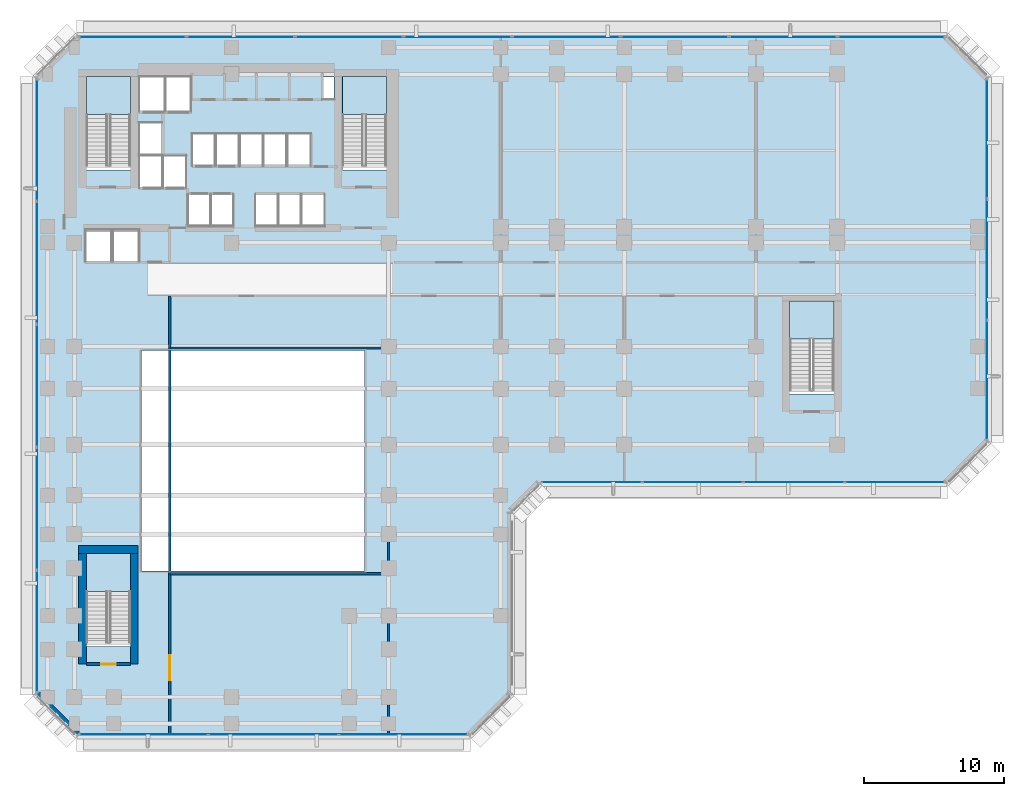
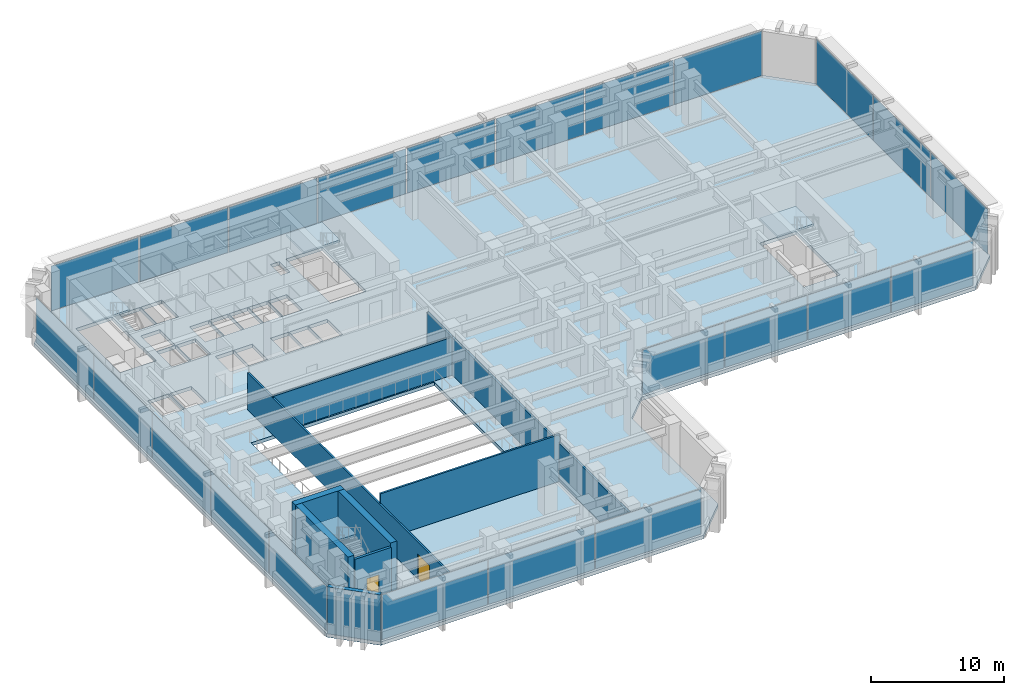
# One storey, part 6 of 16: 23 plates, 9 walls, 5 slabs, 2 doors, 2 openings, 9 elements without a shape of their own.
"""IFC4 building model written with IfcOpenShell, lengths in metres."""

import ifcopenshell
import ifcopenshell.guid

model = None  # the IFC model being written
_history = None  # IfcOwnerHistory: only IFC2X3 demands one
_inside = {}  # id of a spatial element -> (the spatial element, [elements in it])
_under = {}  # id of a project, library or spatial element -> (it, [spatial elements below it])
_declared = {}  # id of a project -> (the project, [libraries it declares])
_typed = {}  # id of a type object -> (the type object, [elements of that type])
_made_of = {}  # id of a material, layer set ... -> (it, [elements and type objects made of it])


def new_model(schema):
    """Start an empty IFC model of exactly this schema.

    Asked for "IFC4X3", IfcOpenShell would pick the latest addendum, in which some entities
    have other attributes; the version numbers below select the first issue.
    IFC2X3 requires an IfcOwnerHistory on every rooted entity: one is made here for all.
    """
    global model, _history
    if schema == "IFC4X3":
        model = ifcopenshell.file(schema_version=(4, 3, 0, 0))
    else:
        model = ifcopenshell.file(schema=schema)
    _inside.clear()
    _under.clear()
    _declared.clear()
    _typed.clear()
    _made_of.clear()
    _history = None
    if model.schema == "IFC2X3":
        org = make("IfcOrganization", Name="unknown")
        user = make(
            "IfcPersonAndOrganization",
            ThePerson=make("IfcPerson", FamilyName="unknown"),
            TheOrganization=org,
        )
        app = make(
            "IfcApplication",
            ApplicationDeveloper=org,
            Version="unknown",
            ApplicationFullName="unknown",
            ApplicationIdentifier="unknown",
        )
        _history = make(
            "IfcOwnerHistory",
            OwningUser=user,
            OwningApplication=app,
            ChangeAction="ADDED",
            CreationDate=0,
        )
    return model


def make(cls, **values):
    """One entity of the class cls with the attributes given. An attribute that is None is left unset."""
    return model.create_entity(
        cls, **{name: value for name, value in values.items() if value is not None}
    )


def rooted(cls, **values):
    """An entity with a GlobalId (a new one), such as an element, a storey or a relation."""
    return make(cls, GlobalId=ifcopenshell.guid.new(), OwnerHistory=_history, **values)


def si_unit(unit_type, name, prefix=None):
    """IfcSIUnit, for example si_unit("LENGTHUNIT", "METRE", prefix="MILLI")."""
    return make("IfcSIUnit", UnitType=unit_type, Prefix=prefix, Name=name)


def assignment(units):
    """IfcUnitAssignment: the units of a project."""
    return None if units is None else make("IfcUnitAssignment", Units=units)


def point(xyz):
    """IfcCartesianPoint."""
    return None if xyz is None else make("IfcCartesianPoint", Coordinates=xyz)


def direction(xyz):
    """IfcDirection."""
    return None if xyz is None else make("IfcDirection", DirectionRatios=xyz)


def frame(location, z_axis=None, x_axis=None):
    """IfcAxis2Placement3D, a coordinate frame: its origin and axes. An axis left out is left unset."""
    return make(
        "IfcAxis2Placement3D",
        Location=point(location),
        Axis=direction(z_axis),
        RefDirection=direction(x_axis),
    )


def frame_2d(location, x_axis=None):
    """IfcAxis2Placement2D, a coordinate frame in the plane: its origin and x axis."""
    return make(
        "IfcAxis2Placement2D", Location=point(location), RefDirection=direction(x_axis)
    )


def origin():
    """The frame at (0, 0, 0) with its axes left unset."""
    return frame((0.0, 0.0, 0.0))


def origin_2d():
    """The frame at (0, 0) in the plane with its x axis left unset."""
    return frame_2d((0.0, 0.0))


def place(relative_to, where):
    """IfcLocalPlacement: puts the frame where relative to a parent placement (None: the world)."""
    return make(
        "IfcLocalPlacement", PlacementRelTo=relative_to, RelativePlacement=where
    )


def context(
    kind, dimensions, precision=None, world=None, true_north=None, identifier=None
):
    """IfcGeometricRepresentationContext, for example the 3D "Model" context."""
    return make(
        "IfcGeometricRepresentationContext",
        ContextIdentifier=identifier,
        ContextType=kind,
        CoordinateSpaceDimension=dimensions,
        Precision=precision,
        WorldCoordinateSystem=world,
        TrueNorth=true_north,
    )


def subcontext(parent, identifier, kind, view, scale=None):
    """IfcGeometricRepresentationSubContext, for example "Body" below "Model"."""
    return make(
        "IfcGeometricRepresentationSubContext",
        ContextIdentifier=identifier,
        ContextType=kind,
        ParentContext=parent,
        TargetScale=scale,
        TargetView=view,
    )


def project(units=None, contexts=None):
    """IfcProject with its units and contexts."""
    return rooted(
        "IfcProject",
        Name="project",
        RepresentationContexts=contexts,
        UnitsInContext=assignment(units),
    )


def spatial(cls, under=None, at=None, **own):
    """A site, building, storey or space (cls), placed at a placement, below another one or the project."""
    s = rooted(cls, ObjectPlacement=at, **own)
    if under is not None:
        _under.setdefault(under.id(), (under, []))[1].append(s)
    return s


def polyline(points):
    """IfcPolyline through the points."""
    return make("IfcPolyline", Points=[point(p) for p in points])


def profile(cls, at=None, kind="AREA", **sizes):
    """A parametric profile (cls). Its sizes go by their IFC names, for example OverallWidth=200.0."""
    return make(cls, ProfileType=kind, Position=at, **sizes)


def rectangle(**sizes):
    """IfcRectangleProfileDef."""
    return profile("IfcRectangleProfileDef", **sizes)


def outline(outer, holes=None, kind="AREA"):
    """IfcArbitraryClosedProfileDef: a profile drawn as a closed curve; with holes, ...WithVoids."""
    if holes is None:
        return make("IfcArbitraryClosedProfileDef", ProfileType=kind, OuterCurve=outer)
    return make(
        "IfcArbitraryProfileDefWithVoids",
        ProfileType=kind,
        OuterCurve=outer,
        InnerCurves=holes,
    )


def extrude(swept, where, along, depth):
    """IfcExtrudedAreaSolid: the profile swept, set in the frame where, extruded along a direction by depth."""
    return make(
        "IfcExtrudedAreaSolid",
        SweptArea=swept,
        Position=where,
        ExtrudedDirection=direction(along),
        Depth=depth,
    )


def shape(context_of_items, identifier, shape_type, items):
    """IfcShapeRepresentation: the items that make up one representation, for example the "Body"."""
    return make(
        "IfcShapeRepresentation",
        ContextOfItems=context_of_items,
        RepresentationIdentifier=identifier,
        RepresentationType=shape_type,
        Items=items,
    )


def material(Name=None, Category=None):
    """IfcMaterial."""
    return make("IfcMaterial", Name=Name, Category=Category)


def layer(
    of_material, thickness, ventilated=None, Name=None, Category=None, Priority=None
):
    """IfcMaterialLayer: one layer of a wall or slab, of a material (None: an air gap)."""
    return make(
        "IfcMaterialLayer",
        Material=of_material,
        LayerThickness=thickness,
        IsVentilated=ventilated,
        Name=Name,
        Category=Category,
        Priority=Priority,
    )


def layer_set(layers, Name=None):
    """IfcMaterialLayerSet."""
    return make("IfcMaterialLayerSet", MaterialLayers=layers, LayerSetName=Name)


def made_of(thing, what):
    """Note that an element or type object is made of a material, layer set ...; save() writes the relation."""
    if what is not None:
        _made_of.setdefault(what.id(), (what, []))[1].append(thing)
    return thing


def type_object(cls, material=None, **own):
    """A type object (cls), such as IfcWallType, which elements share."""
    return made_of(rooted(cls, **own), material)


def element(
    cls,
    number,
    at=None,
    inside=None,
    cuts=None,
    type_object=None,
    material=None,
    context=None,
    identifier="Body",
    shape_type=None,
    held_by="IfcProductDefinitionShape",
    body=None,
    shapes=None,
    **own,
):
    """One element of the class cls, such as IfcWall. Its Tag is "e" and its number.

    at: its placement. inside: the storey or other place that contains it. cuts: it is an
    opening in that element (IfcRelVoidsElement). A single representation is given by context,
    identifier, shape_type and body (its items); several are given by shapes. held_by: the class
    of the entity that holds the representations. save() writes the other relations.
    """
    e = rooted(cls, Tag="e%d" % number, ObjectPlacement=at, **own)
    if body is not None:
        shapes = [shape(context, identifier, shape_type, body)]
    if shapes is not None:
        e.Representation = make(held_by, Representations=shapes)
    if inside is not None:
        _inside.setdefault(inside.id(), (inside, []))[1].append(e)
    if cuts is not None:
        rooted(
            "IfcRelVoidsElement", RelatingBuildingElement=cuts, RelatedOpeningElement=e
        )
    if type_object is not None:
        _typed.setdefault(type_object.id(), (type_object, []))[1].append(e)
    return made_of(e, material)


def fill(opening, filler):
    """IfcRelFillsElement: the door or window that sits in an opening."""
    return rooted(
        "IfcRelFillsElement",
        RelatingOpeningElement=opening,
        RelatedBuildingElement=filler,
    )


def aggregate(whole, parts):
    """IfcRelAggregates: a whole, such as a stair, and the parts it consists of."""
    return rooted("IfcRelAggregates", RelatingObject=whole, RelatedObjects=parts)


def save(model, path):
    """Write the relations noted so far, then the file.

    IfcRelAggregates (storeys below a building ...), IfcRelContainedInSpatialStructure (elements
    in a storey), IfcRelDefinesByType, IfcRelAssociatesMaterial and IfcRelDeclares: one each for
    every whole, place, type object, material and project.
    """
    for whole, parts in _under.values():
        aggregate(whole, parts)
    for where, things in _inside.values():
        rooted(
            "IfcRelContainedInSpatialStructure",
            RelatedElements=things,
            RelatingStructure=where,
        )
    for kind, things in _typed.values():
        rooted("IfcRelDefinesByType", RelatedObjects=things, RelatingType=kind)
    for what, things in _made_of.values():
        rooted("IfcRelAssociatesMaterial", RelatedObjects=things, RelatingMaterial=what)
    for by, libraries in _declared.values():
        rooted("IfcRelDeclares", RelatingContext=by, RelatedDefinitions=libraries)
    model.write(path)


model = new_model("IFC4")

# Units and contexts
model_context = context("Model", 3, precision=1e-05, world=origin(), true_north=direction((0.0, 1.0)))
body_context = subcontext(model_context, "Body", "Model", "MODEL_VIEW")
ifc_project = project(units=[si_unit("LENGTHUNIT", "METRE"), si_unit("AREAUNIT", "SQUARE_METRE"), si_unit("VOLUMEUNIT", "CUBIC_METRE"), si_unit("PLANEANGLEUNIT", "RADIAN"), si_unit("MASSUNIT", "GRAM", prefix="KILO")], contexts=[model_context])

# Site, building, storey
site_placement = place(None, origin())
site = spatial("IfcSite", under=ifc_project, at=site_placement, CompositionType="ELEMENT")
building_placement = place(site_placement, origin())
building = spatial("IfcBuilding", under=site, at=building_placement, Name="Kefirva Bronze Tower", CompositionType="ELEMENT")
storey_placement = place(building_placement, frame((0.0, 0.0, 16.5)))
storey = spatial("IfcBuildingStorey", under=building, at=storey_placement, Name="L03", CompositionType="ELEMENT", Elevation=16.5)

# Slab
ifc_material_1 = material(Name="Concrete C40/50", Category="concrete")
ifc_layer_1 = layer(ifc_material_1, 0.320068359375, Name="Concrete C40/50")
ifc_layer_set_1 = layer_set([ifc_layer_1], Name="Concrete C40/50")
slab_type_1 = type_object("IfcSlabType", Name="RC Podium Floor Slab 320mm", PredefinedType="FLOOR", material=ifc_layer_set_1)
slab_1_placement = place(storey_placement, frame((0.0, 0.0, -0.320068359375)))
element("IfcSlab", 1, at=slab_1_placement, inside=storey, type_object=slab_type_1, Name="L03 Structural Floor Slab", PredefinedType="FLOOR", context=body_context, shape_type="SweptSolid", body=[
    extrude(outline(polyline([(-2.0, 1.0), (-2.0, 45.0), (1.0, 48.0), (63.0, 48.0), (66.0, 45.0), (66.0, 19.0), (63.0, 16.0), (34.0, 16.0), (32.0, 14.0), (32.0, 1.0), (29.0, -2.0), (1.0, -2.0), (-2.0, 1.0)]), holes=[polyline([(51.800048828125, 22.39990234375), (54.949951171875, 22.39990234375), (54.949951171875, 29.050048828125), (51.800048828125, 29.050048828125), (51.800048828125, 22.39990234375)]), polyline([(19.89990234375, 38.39990234375), (23.050048828125, 38.39990234375), (23.050048828125, 45.050048828125), (19.89990234375, 45.050048828125), (19.89990234375, 38.39990234375)]), polyline([(5.60009765625, 9.800048828125), (21.5, 9.800048828125), (21.5, 25.5), (5.60009765625, 25.5), (5.60009765625, 9.800048828125)]), polyline([(18.52001953125, 43.419921875), (19.320068359375, 43.419921875), (19.320068359375, 45.0), (18.52001953125, 45.0), (18.52001953125, 43.419921875)]), polyline([(17.0, 34.35009765625), (18.64990234375, 34.35009765625), (18.64990234375, 36.64990234375), (17.0, 36.64990234375), (17.0, 34.35009765625)]), polyline([(17.64990234375, 38.679931640625), (17.64990234375, 40.97998046875), (16.0, 40.97998046875), (16.0, 38.679931640625), (17.64990234375, 38.679931640625)]), polyline([(15.35009765625, 34.35009765625), (16.949951171875, 34.35009765625), (16.949951171875, 36.64990234375), (15.35009765625, 36.64990234375), (15.35009765625, 34.35009765625)]), polyline([(14.300048828125, 38.679931640625), (15.929931640625, 38.679931640625), (15.929931640625, 40.97998046875), (14.300048828125, 40.97998046875), (14.300048828125, 38.679931640625)]), polyline([(15.300048828125, 34.35009765625), (15.300048828125, 36.64990234375), (13.699951171875, 36.64990234375), (13.699951171875, 34.35009765625), (15.300048828125, 34.35009765625)]), polyline([(12.60009765625, 38.679931640625), (14.22998046875, 38.679931640625), (14.22998046875, 40.97998046875), (12.60009765625, 40.97998046875), (12.60009765625, 38.679931640625)]), polyline([(12.530029296875, 38.679931640625), (12.530029296875, 40.97998046875), (10.89990234375, 40.97998046875), (10.89990234375, 38.679931640625), (12.530029296875, 38.679931640625)]), polyline([(10.5400390625, 34.35009765625), (12.139892578125, 34.35009765625), (12.139892578125, 36.64990234375), (10.5400390625, 36.64990234375), (10.5400390625, 34.35009765625)]), polyline([(9.199951171875, 38.679931640625), (10.830078125, 38.679931640625), (10.830078125, 40.97998046875), (9.199951171875, 40.97998046875), (9.199951171875, 38.679931640625)]), polyline([(8.89990234375, 34.35009765625), (10.5, 34.35009765625), (10.5, 36.64990234375), (8.89990234375, 36.64990234375), (8.89990234375, 34.35009765625)]), polyline([(9.1201171875, 42.550048828125), (9.1201171875, 45.050048828125), (7.300048828125, 45.050048828125), (7.300048828125, 42.550048828125), (9.1201171875, 42.550048828125)]), polyline([(7.139892578125, 37.10009765625), (8.780029296875, 37.10009765625), (8.780029296875, 39.39990234375), (7.139892578125, 39.39990234375), (7.139892578125, 37.10009765625)]), polyline([(5.419921875, 42.550048828125), (7.239990234375, 42.550048828125), (7.239990234375, 45.050048828125), (5.419921875, 45.050048828125), (5.419921875, 42.550048828125)]), polyline([(7.06005859375, 39.47998046875), (7.06005859375, 41.780029296875), (5.419921875, 41.780029296875), (5.419921875, 39.47998046875), (7.06005859375, 39.47998046875)]), polyline([(7.06005859375, 37.10009765625), (7.06005859375, 39.39990234375), (5.419921875, 39.39990234375), (5.419921875, 37.10009765625), (7.06005859375, 37.10009765625)]), polyline([(5.39990234375, 31.85009765625), (5.39990234375, 34.14990234375), (3.550048828125, 34.14990234375), (3.550048828125, 31.85009765625), (5.39990234375, 31.85009765625)]), polyline([(1.64990234375, 38.39990234375), (4.800048828125, 38.39990234375), (4.800048828125, 45.050048828125), (1.64990234375, 45.050048828125), (1.64990234375, 38.39990234375)]), polyline([(4.800048828125, 4.39990234375), (4.800048828125, 11.050048828125), (1.64990234375, 11.050048828125), (1.64990234375, 4.39990234375), (4.800048828125, 4.39990234375)]), polyline([(3.449951171875, 31.85009765625), (3.449951171875, 34.14990234375), (1.60009765625, 34.14990234375), (1.60009765625, 31.85009765625), (3.449951171875, 31.85009765625)])]), origin(), (0.0, 0.0, 1.0), 0.320068359375),
])

# Stair, slab
stair_type = type_object("IfcStairType", Name="RC Dogleg Protected Stair 28R", PredefinedType="HALF_TURN_STAIR", material=ifc_material_1)
stair_1_placement = place(storey_placement, origin())
stair_1 = element("IfcStair", 2, at=stair_1_placement, inside=storey, type_object=stair_type, Name="L03 Protected Exit Stair 1", PredefinedType="HALF_TURN_STAIR")
ifc_layer_2 = layer(ifc_material_1, 0.199951171875, Name="Concrete C40/50")
ifc_layer_set_2 = layer_set([ifc_layer_2], Name="Concrete C40/50")
slab_type_2 = type_object("IfcSlabType", Name="RC Stair Landing Slab 200mm", PredefinedType="LANDING", material=ifc_layer_set_2)
slab_2_placement = place(storey_placement, frame((0.0, 0.0, 2.110107421875)))
slab_2 = element("IfcSlab", 3, at=slab_2_placement, type_object=slab_type_2, Name="ST-1 landing 1", PredefinedType="LANDING", context=body_context, shape_type="SweptSolid", body=[
    extrude(outline(polyline([(4.800048828125, 42.340087890625), (4.800048828125, 45.050048828125), (1.64990234375, 45.050048828125), (1.64990234375, 42.340087890625), (4.800048828125, 42.340087890625)])), origin(), (0.0, 0.0, 1.0), 0.199951171875),
])
aggregate(stair_1, [slab_2])

stair_2_placement = place(storey_placement, origin())
stair_2 = element("IfcStair", 4, at=stair_2_placement, inside=storey, type_object=stair_type, Name="L03 Protected Exit Stair 2", PredefinedType="HALF_TURN_STAIR")
slab_3_placement = place(storey_placement, frame((0.0, 0.0, 2.110107421875)))
slab_3 = element("IfcSlab", 5, at=slab_3_placement, type_object=slab_type_2, Name="ST-2 landing 1", PredefinedType="LANDING", context=body_context, shape_type="SweptSolid", body=[
    extrude(outline(polyline([(23.050048828125, 42.340087890625), (23.050048828125, 45.050048828125), (19.89990234375, 45.050048828125), (19.89990234375, 42.340087890625), (23.050048828125, 42.340087890625)])), origin(), (0.0, 0.0, 1.0), 0.199951171875),
])
aggregate(stair_2, [slab_3])

stair_3_placement = place(storey_placement, origin())
stair_3 = element("IfcStair", 6, at=stair_3_placement, inside=storey, type_object=stair_type, Name="L03 Podium Exit Stair 3", PredefinedType="HALF_TURN_STAIR")
slab_4_placement = place(storey_placement, frame((0.0, 0.0, 2.110107421875)))
slab_4 = element("IfcSlab", 7, at=slab_4_placement, type_object=slab_type_2, Name="ST-3 landing 1", PredefinedType="LANDING", context=body_context, shape_type="SweptSolid", body=[
    extrude(outline(polyline([(4.800048828125, 8.340087890625), (4.800048828125, 11.050048828125), (1.64990234375, 11.050048828125), (1.64990234375, 8.340087890625), (4.800048828125, 8.340087890625)])), origin(), (0.0, 0.0, 1.0), 0.199951171875),
])
aggregate(stair_3, [slab_4])

stair_4_placement = place(storey_placement, origin())
stair_4 = element("IfcStair", 8, at=stair_4_placement, inside=storey, type_object=stair_type, Name="L03 Podium Exit Stair 4", PredefinedType="HALF_TURN_STAIR")
slab_5_placement = place(storey_placement, frame((0.0, 0.0, 2.110107421875)))
slab_5 = element("IfcSlab", 9, at=slab_5_placement, type_object=slab_type_2, Name="ST-4 landing 1", PredefinedType="LANDING", context=body_context, shape_type="SweptSolid", body=[
    extrude(outline(polyline([(54.949951171875, 26.340087890625), (54.949951171875, 29.050048828125), (51.800048828125, 29.050048828125), (51.800048828125, 26.340087890625), (54.949951171875, 26.340087890625)])), origin(), (0.0, 0.0, 1.0), 0.199951171875),
])
aggregate(stair_4, [slab_5])

# Curtain wall, plates
ifc_material_2 = material(Name="Bronze anodised aluminium", Category="aluminium")
ifc_layer_3 = layer(ifc_material_2, 0.239990234375, Name="Bronze anodised aluminium")
ifc_layer_set_3 = layer_set([ifc_layer_3], Name="Bronze anodised aluminium")
curtain_wall_type = type_object("IfcCurtainWallType", Name="Podium Double-Height Glazed Curtain Wall", PredefinedType="USERDEFINED", material=ifc_layer_set_3)
curtain_wall_1_placement = place(storey_placement, origin())
curtain_wall_1 = element("IfcCurtainWall", 10, at=curtain_wall_1_placement, inside=storey, type_object=curtain_wall_type, Name="L03 Curtain Wall 1", ObjectType="UNITISED CURTAIN WALL", PredefinedType="USERDEFINED")
ifc_material_3 = material(Name="Laminated low-E double glazing", Category="glass")
ifc_layer_4 = layer(ifc_material_3, 0.031982421875, Name="Laminated low-E double glazing")
ifc_layer_set_4 = layer_set([ifc_layer_4], Name="Laminated low-E double glazing")
plate_type = type_object("IfcPlateType", Name="Solar-Control Low-E Vision Panel 32mm", PredefinedType="CURTAIN_PANEL", material=ifc_layer_set_4)
plate_1_placement = place(storey_placement, frame((5.725830078125, -1.8798828125, 0.08984375), z_axis=(0.0, 0.0, 1.0), x_axis=(1.0, 0.0, 0.0)))
plate_1 = element("IfcPlate", 11, at=plate_1_placement, type_object=plate_type, Name="CW-05 panel 1.1", PredefinedType="CURTAIN_PANEL", context=body_context, shape_type="SweptSolid", body=[
    extrude(rectangle(XDim=9.16162109375, YDim=0.031982421875, at=origin_2d()), origin(), (0.0, 0.0, 1.0), 4.1201171875),
])
plate_2_placement = place(storey_placement, frame((15.0, -1.8798828125, 0.08984375), z_axis=(0.0, 0.0, 1.0), x_axis=(1.0, 0.0, 0.0)))
plate_2 = element("IfcPlate", 12, at=plate_2_placement, type_object=plate_type, Name="CW-05 panel 2.1", PredefinedType="CURTAIN_PANEL", context=body_context, shape_type="SweptSolid", body=[
    extrude(rectangle(XDim=9.206787109375, YDim=0.031982421875, at=origin_2d()), origin(), (0.0, 0.0, 1.0), 4.1201171875),
])
plate_3_placement = place(storey_placement, frame((24.274169921875, -1.8798828125, 0.08984375), z_axis=(0.0, 0.0, 1.0), x_axis=(1.0, 0.0, 0.0)))
plate_3 = element("IfcPlate", 13, at=plate_3_placement, type_object=plate_type, Name="CW-05 panel 3.1", PredefinedType="CURTAIN_PANEL", context=body_context, shape_type="SweptSolid", body=[
    extrude(rectangle(XDim=9.16162109375, YDim=0.031982421875, at=origin_2d()), origin(), (0.0, 0.0, 1.0), 4.1201171875),
])
aggregate(curtain_wall_1, [plate_1, plate_2, plate_3])

curtain_wall_2_placement = place(storey_placement, origin())
curtain_wall_2 = element("IfcCurtainWall", 14, at=curtain_wall_2_placement, inside=storey, type_object=curtain_wall_type, Name="L03 Curtain Wall 2", ObjectType="UNITISED CURTAIN WALL", PredefinedType="USERDEFINED")
plate_4_placement = place(storey_placement, frame((37.688720703125, 16.1201171875, 0.08984375), z_axis=(0.0, 0.0, 1.0), x_axis=(1.0, 0.0, 0.0)))
plate_4 = element("IfcPlate", 15, at=plate_4_placement, type_object=plate_type, Name="CW-05 panel 1.1", PredefinedType="CURTAIN_PANEL", context=body_context, shape_type="SweptSolid", body=[
    extrude(rectangle(XDim=7.08740234375, YDim=0.031982421875, at=origin_2d()), origin(), (0.0, 0.0, 1.0), 4.1201171875),
])
plate_5_placement = place(storey_placement, frame((44.888671875, 16.1201171875, 0.08984375), z_axis=(0.0, 0.0, 1.0), x_axis=(1.0, 0.0, 0.0)))
plate_5 = element("IfcPlate", 16, at=plate_5_placement, type_object=plate_type, Name="CW-05 panel 2.1", PredefinedType="CURTAIN_PANEL", context=body_context, shape_type="SweptSolid", body=[
    extrude(rectangle(XDim=7.132568359375, YDim=0.031982421875, at=origin_2d()), origin(), (0.0, 0.0, 1.0), 4.1201171875),
])
plate_6_placement = place(storey_placement, frame((52.111328125, 16.1201171875, 0.08984375), z_axis=(0.0, 0.0, 1.0), x_axis=(1.0, 0.0, 0.0)))
plate_6 = element("IfcPlate", 17, at=plate_6_placement, type_object=plate_type, Name="CW-05 panel 3.1", PredefinedType="CURTAIN_PANEL", context=body_context, shape_type="SweptSolid", body=[
    extrude(rectangle(XDim=7.132568359375, YDim=0.031982421875, at=origin_2d()), origin(), (0.0, 0.0, 1.0), 4.1201171875),
])
plate_7_placement = place(storey_placement, frame((59.311279296875, 16.1201171875, 0.08984375), z_axis=(0.0, 0.0, 1.0), x_axis=(1.0, 0.0, 0.0)))
plate_7 = element("IfcPlate", 18, at=plate_7_placement, type_object=plate_type, Name="CW-05 panel 4.1", PredefinedType="CURTAIN_PANEL", context=body_context, shape_type="SweptSolid", body=[
    extrude(rectangle(XDim=7.08740234375, YDim=0.031982421875, at=origin_2d()), origin(), (0.0, 0.0, 1.0), 4.1201171875),
])
aggregate(curtain_wall_2, [plate_4, plate_5, plate_6, plate_7])

curtain_wall_3_placement = place(storey_placement, origin())
curtain_wall_3 = element("IfcCurtainWall", 19, at=curtain_wall_3_placement, inside=storey, type_object=curtain_wall_type, Name="L03 Curtain Wall 3", ObjectType="UNITISED CURTAIN WALL", PredefinedType="USERDEFINED")
plate_8_placement = place(storey_placement, frame((65.8798828125, 23.392578125, 0.08984375), z_axis=(0.0, 0.0, 1.0), x_axis=(0.0, 1.0, 0.0)))
plate_8 = element("IfcPlate", 20, at=plate_8_placement, type_object=plate_type, Name="CW-05 panel 1.1", PredefinedType="CURTAIN_PANEL", context=body_context, shape_type="SweptSolid", body=[
    extrude(rectangle(XDim=8.4951171875, YDim=0.031982421875, at=origin_2d()), origin(), (0.0, 0.0, 1.0), 4.1201171875),
])
plate_9_placement = place(storey_placement, frame((65.8798828125, 32.0, 0.08984375), z_axis=(0.0, 0.0, 1.0), x_axis=(0.0, 1.0, 0.0)))
plate_9 = element("IfcPlate", 21, at=plate_9_placement, type_object=plate_type, Name="CW-05 panel 2.1", PredefinedType="CURTAIN_PANEL", context=body_context, shape_type="SweptSolid", body=[
    extrude(rectangle(XDim=8.5400390625, YDim=0.031982421875, at=origin_2d()), origin(), (0.0, 0.0, 1.0), 4.1201171875),
])
plate_10_placement = place(storey_placement, frame((65.8798828125, 40.607421875, 0.08984375), z_axis=(0.0, 0.0, 1.0), x_axis=(0.0, 1.0, 0.0)))
plate_10 = element("IfcPlate", 22, at=plate_10_placement, type_object=plate_type, Name="CW-05 panel 3.1", PredefinedType="CURTAIN_PANEL", context=body_context, shape_type="SweptSolid", body=[
    extrude(rectangle(XDim=8.4951171875, YDim=0.031982421875, at=origin_2d()), origin(), (0.0, 0.0, 1.0), 4.1201171875),
])
aggregate(curtain_wall_3, [plate_8, plate_9, plate_10])

curtain_wall_4_placement = place(storey_placement, origin())
curtain_wall_4 = element("IfcCurtainWall", 23, at=curtain_wall_4_placement, inside=storey, type_object=curtain_wall_type, Name="L03 Curtain Wall 4", ObjectType="UNITISED CURTAIN WALL", PredefinedType="USERDEFINED")
plate_11_placement = place(storey_placement, frame((59.054443359375, 47.8798828125, 0.08984375), z_axis=(0.0, 0.0, 1.0), x_axis=(-1.0, 0.0, 0.0)))
plate_11 = element("IfcPlate", 24, at=plate_11_placement, type_object=plate_type, Name="CW-05 panel 1.1", PredefinedType="CURTAIN_PANEL", context=body_context, shape_type="SweptSolid", body=[
    extrude(rectangle(XDim=7.601318359375, YDim=0.031982421875, at=origin_2d()), origin(), (0.0, 0.0, 1.0), 4.1201171875),
])
plate_12_placement = place(storey_placement, frame((51.340576171875, 47.8798828125, 0.08984375), z_axis=(0.0, 0.0, 1.0), x_axis=(-1.0, 0.0, 0.0)))
plate_12 = element("IfcPlate", 25, at=plate_12_placement, type_object=plate_type, Name="CW-05 panel 2.1", PredefinedType="CURTAIN_PANEL", context=body_context, shape_type="SweptSolid", body=[
    extrude(rectangle(XDim=7.646240234375, YDim=0.031982421875, at=origin_2d()), origin(), (0.0, 0.0, 1.0), 4.1201171875),
])
plate_13_placement = place(storey_placement, frame((43.6044921875, 47.8798828125, 0.08984375), z_axis=(0.0, 0.0, 1.0), x_axis=(-1.0, 0.0, 0.0)))
plate_13 = element("IfcPlate", 26, at=plate_13_placement, type_object=plate_type, Name="CW-05 panel 3.1", PredefinedType="CURTAIN_PANEL", context=body_context, shape_type="SweptSolid", body=[
    extrude(rectangle(XDim=7.646240234375, YDim=0.031982421875, at=origin_2d()), origin(), (0.0, 0.0, 1.0), 4.1201171875),
])
plate_14_placement = place(storey_placement, frame((35.8681640625, 47.8798828125, 0.08984375), z_axis=(0.0, 0.0, 1.0), x_axis=(-1.0, 0.0, 0.0)))
plate_14 = element("IfcPlate", 27, at=plate_14_placement, type_object=plate_type, Name="CW-05 panel 4.1", PredefinedType="CURTAIN_PANEL", context=body_context, shape_type="SweptSolid", body=[
    extrude(rectangle(XDim=7.646240234375, YDim=0.031982421875, at=origin_2d()), origin(), (0.0, 0.0, 1.0), 4.1201171875),
])
plate_15_placement = place(storey_placement, frame((28.1318359375, 47.8798828125, 0.08984375), z_axis=(0.0, 0.0, 1.0), x_axis=(-1.0, 0.0, 0.0)))
plate_15 = element("IfcPlate", 28, at=plate_15_placement, type_object=plate_type, Name="CW-05 panel 5.1", PredefinedType="CURTAIN_PANEL", context=body_context, shape_type="SweptSolid", body=[
    extrude(rectangle(XDim=7.646240234375, YDim=0.031982421875, at=origin_2d()), origin(), (0.0, 0.0, 1.0), 4.1201171875),
])
plate_16_placement = place(storey_placement, frame((20.3955078125, 47.8798828125, 0.08984375), z_axis=(0.0, 0.0, 1.0), x_axis=(-1.0, 0.0, 0.0)))
plate_16 = element("IfcPlate", 29, at=plate_16_placement, type_object=plate_type, Name="CW-05 panel 6.1", PredefinedType="CURTAIN_PANEL", context=body_context, shape_type="SweptSolid", body=[
    extrude(rectangle(XDim=7.646240234375, YDim=0.031982421875, at=origin_2d()), origin(), (0.0, 0.0, 1.0), 4.1201171875),
])
plate_17_placement = place(storey_placement, frame((12.659423828125, 47.8798828125, 0.08984375), z_axis=(0.0, 0.0, 1.0), x_axis=(-1.0, 0.0, 0.0)))
plate_17 = element("IfcPlate", 30, at=plate_17_placement, type_object=plate_type, Name="CW-05 panel 7.1", PredefinedType="CURTAIN_PANEL", context=body_context, shape_type="SweptSolid", body=[
    extrude(rectangle(XDim=7.646240234375, YDim=0.031982421875, at=origin_2d()), origin(), (0.0, 0.0, 1.0), 4.1201171875),
])
plate_18_placement = place(storey_placement, frame((4.945556640625, 47.8798828125, 0.08984375), z_axis=(0.0, 0.0, 1.0), x_axis=(-1.0, 0.0, 0.0)))
plate_18 = element("IfcPlate", 31, at=plate_18_placement, type_object=plate_type, Name="CW-05 panel 8.1", PredefinedType="CURTAIN_PANEL", context=body_context, shape_type="SweptSolid", body=[
    extrude(rectangle(XDim=7.601318359375, YDim=0.031982421875, at=origin_2d()), origin(), (0.0, 0.0, 1.0), 4.1201171875),
])
aggregate(curtain_wall_4, [plate_11, plate_12, plate_13, plate_14, plate_15, plate_16, plate_17, plate_18])

curtain_wall_5_placement = place(storey_placement, origin())
curtain_wall_5 = element("IfcCurtainWall", 32, at=curtain_wall_5_placement, inside=storey, type_object=curtain_wall_type, Name="L03 Curtain Wall 5", ObjectType="UNITISED CURTAIN WALL", PredefinedType="USERDEFINED")
plate_19_placement = place(storey_placement, frame((-1.8798828125, 40.533447265625, 0.08984375), z_axis=(0.0, 0.0, 1.0), x_axis=(0.0, -1.0, 0.0)))
plate_19 = element("IfcPlate", 33, at=plate_19_placement, type_object=plate_type, Name="CW-05 panel 1.1", PredefinedType="CURTAIN_PANEL", context=body_context, shape_type="SweptSolid", body=[
    extrude(rectangle(XDim=8.64306640625, YDim=0.031982421875, at=origin_2d()), origin(), (0.0, 0.0, 1.0), 4.1201171875),
])
plate_20_placement = place(storey_placement, frame((-1.8798828125, 31.778076171875, 0.08984375), z_axis=(0.0, 0.0, 1.0), x_axis=(0.0, -1.0, 0.0)))
plate_20 = element("IfcPlate", 34, at=plate_20_placement, type_object=plate_type, Name="CW-05 panel 2.1", PredefinedType="CURTAIN_PANEL", context=body_context, shape_type="SweptSolid", body=[
    extrude(rectangle(XDim=8.68798828125, YDim=0.031982421875, at=origin_2d()), origin(), (0.0, 0.0, 1.0), 4.1201171875),
])
plate_21_placement = place(storey_placement, frame((-1.8798828125, 23.0, 0.08984375), z_axis=(0.0, 0.0, 1.0), x_axis=(0.0, -1.0, 0.0)))
plate_21 = element("IfcPlate", 35, at=plate_21_placement, type_object=plate_type, Name="CW-05 panel 3.1", PredefinedType="CURTAIN_PANEL", context=body_context, shape_type="SweptSolid", body=[
    extrude(rectangle(XDim=8.68798828125, YDim=0.031982421875, at=origin_2d()), origin(), (0.0, 0.0, 1.0), 4.1201171875),
])
plate_22_placement = place(storey_placement, frame((-1.8798828125, 14.221923828125, 0.08984375), z_axis=(0.0, 0.0, 1.0), x_axis=(0.0, -1.0, 0.0)))
plate_22 = element("IfcPlate", 36, at=plate_22_placement, type_object=plate_type, Name="CW-05 panel 4.1", PredefinedType="CURTAIN_PANEL", context=body_context, shape_type="SweptSolid", body=[
    extrude(rectangle(XDim=8.68798828125, YDim=0.031982421875, at=origin_2d()), origin(), (0.0, 0.0, 1.0), 4.1201171875),
])
plate_23_placement = place(storey_placement, frame((-1.8798828125, 5.466552734375, 0.08984375), z_axis=(0.0, 0.0, 1.0), x_axis=(0.0, -1.0, 0.0)))
plate_23 = element("IfcPlate", 37, at=plate_23_placement, type_object=plate_type, Name="CW-05 panel 5.1", PredefinedType="CURTAIN_PANEL", context=body_context, shape_type="SweptSolid", body=[
    extrude(rectangle(XDim=8.64306640625, YDim=0.031982421875, at=origin_2d()), origin(), (0.0, 0.0, 1.0), 4.1201171875),
])
aggregate(curtain_wall_5, [plate_19, plate_20, plate_21, plate_22, plate_23])

# Wall, opening, door
ifc_material_4 = material(Name="Gypsum fireboard shaftwall")
ifc_layer_5 = layer(ifc_material_4, 0.219970703125, Name="Gypsum fireboard shaftwall")
ifc_layer_set_5 = layer_set([ifc_layer_5], Name="Gypsum fireboard shaftwall")
wall_type_1 = type_object("IfcWallType", Name="Fire-Rated Shaft Enclosure Wall 220mm", PredefinedType="PARTITIONING", material=ifc_layer_set_5)
wall_1_placement = place(storey_placement, frame((1.64990234375, 3.14990234375, 0.0), z_axis=(0.0, 0.0, 1.0), x_axis=(1.0, 0.0, 0.0)))
wall_1 = element("IfcWall", 38, at=wall_1_placement, inside=storey, type_object=wall_type_1, Name="L03 Partition W-L03-ST3S", PredefinedType="PARTITIONING", context=body_context, shape_type="SweptSolid", body=[
    extrude(rectangle(XDim=3.150146484375, YDim=0.219970703125, at=frame_2d((1.5751953125, 0.0))), origin(), (0.0, 0.0, 1.0), 4.300048828125),
])
opening_1_placement = place(wall_1_placement, frame((2.10009765625, 0.0, 0.0), z_axis=(0.0, 0.0, 1.0), x_axis=(-1.0, 0.0, 0.0)))
opening_1 = element("IfcOpeningElement", 39, at=opening_1_placement, cuts=wall_1, Name="Opening L03-D-ST3", PredefinedType="OPENING", context=body_context, shape_type="SweptSolid", body=[
    extrude(rectangle(XDim=1.050048828125, YDim=2.14990234375, at=frame_2d((0.52490234375, 1.074951171875))), frame((0.0, 0.1201171875, 0.0), z_axis=(0.0, -1.0, 0.0), x_axis=(1.0, 0.0, 0.0)), (0.0, 0.0, 1.0), 0.239990234375),
])
ifc_material_5 = material(Name="Painted galvanized steel", Category="steel")
door_type_1 = type_object("IfcDoorType", Name="Fire Stair Enclosure Door 1050x2150 FD90S", OperationType="NOTDEFINED", PredefinedType="DOOR", material=ifc_material_5)
door_1_placement = place(opening_1_placement, origin())
door_1 = element("IfcDoor", 40, at=door_1_placement, inside=storey, type_object=door_type_1, Name="Door L03-D-ST3", OperationType="SINGLE_SWING_LEFT", OverallHeight=2.14990234375, OverallWidth=1.050048828125, PredefinedType="DOOR", context=body_context, shape_type="SweptSolid", body=[
    extrude(rectangle(XDim=1.050048828125, YDim=2.14990234375, at=frame_2d((0.52490234375, 1.074951171875))), frame((0.0, 0.02490234375, 0.0), z_axis=(0.0, -1.0, 0.0), x_axis=(1.0, 0.0, 0.0)), (0.0, 0.0, 1.0), 0.050048828125),
])
fill(opening_1, door_1)

# Wall
ifc_material_6 = material(Name="Precast concrete C40/50", Category="concrete")
ifc_layer_6 = layer(ifc_material_6, 0.360107421875, Name="Precast concrete C40/50")
ifc_layer_set_6 = layer_set([ifc_layer_6], Name="Precast concrete C40/50")
wall_type_2 = type_object("IfcWallType", Name="Precast Podium Facade Wall 360mm", PredefinedType="SOLIDWALL", material=ifc_layer_set_6)
wall_2_placement = place(storey_placement, frame((-1.833740234375, 1.08837890625, 0.0), z_axis=(0.0, 0.0, 1.0), x_axis=(0.707106781187, -0.707106781187, 0.0)))
element("IfcWall", 41, at=wall_2_placement, inside=storey, type_object=wall_type_2, Name="L03 Exterior Facade Wall 7", PredefinedType="SOLIDWALL", context=body_context, shape_type="SweptSolid", body=[
    extrude(rectangle(XDim=4.132568359375, YDim=0.360107421875, at=frame_2d((2.06640625, 0.0))), origin(), (0.0, 0.0, 1.0), 4.300048828125),
])

# Wall, opening, door
ifc_material_7 = material(Name="Gypsum acoustic partition")
ifc_layer_7 = layer(ifc_material_7, 0.159912109375, Name="Gypsum acoustic partition")
ifc_layer_set_7 = layer_set([ifc_layer_7], Name="Gypsum acoustic partition")
wall_type_3 = type_object("IfcWallType", Name="Protected Corridor Partition 160mm", PredefinedType="PARTITIONING", material=ifc_layer_set_7)
wall_3_placement = place(storey_placement, frame((7.60009765625, -1.81005859375, 0.0), z_axis=(0.0, 0.0, 1.0), x_axis=(0.0, 1.0, 0.0)))
wall_3 = element("IfcWall", 42, at=wall_3_placement, inside=storey, type_object=wall_type_3, Name="L03 Partition W-L03-SWCE", PredefinedType="PARTITIONING", context=body_context, shape_type="SweptSolid", body=[
    extrude(rectangle(XDim=31.2099609375, YDim=0.159912109375, at=frame_2d((15.60498046875, 0.0))), origin(), (0.0, 0.0, 1.0), 3.385009765625),
])
opening_2_placement = place(wall_3_placement, frame((3.800048828125, 0.0, 0.0)))
opening_2 = element("IfcOpeningElement", 43, at=opening_2_placement, cuts=wall_3, Name="Opening L03-D-GAL", PredefinedType="OPENING", context=body_context, shape_type="SweptSolid", body=[
    extrude(rectangle(XDim=1.800048828125, YDim=2.300048828125, at=frame_2d((0.89990234375, 1.14990234375))), frame((0.0, 0.08984375, 0.0), z_axis=(0.0, -1.0, 0.0), x_axis=(1.0, 0.0, 0.0)), (0.0, 0.0, 1.0), 0.179931640625),
])
ifc_material_8 = material(Name="Acoustic hardwood oak", Category="wood")
door_type_2 = type_object("IfcDoorType", Name="Auditorium & Dining Double Door 1800x2300", OperationType="DOUBLE_DOOR_SINGLE_SWING", PredefinedType="DOOR", material=ifc_material_8)
door_2_placement = place(opening_2_placement, origin())
door_2 = element("IfcDoor", 44, at=door_2_placement, inside=storey, type_object=door_type_2, Name="Door L03-D-GAL", OperationType="SINGLE_SWING_LEFT", OverallHeight=2.300048828125, OverallWidth=1.800048828125, PredefinedType="DOOR", context=body_context, shape_type="SweptSolid", body=[
    extrude(rectangle(XDim=1.800048828125, YDim=2.300048828125, at=frame_2d((0.89990234375, 1.14990234375))), frame((0.0, 0.02490234375, 0.0), z_axis=(0.0, -1.0, 0.0), x_axis=(1.0, 0.0, 0.0)), (0.0, 0.0, 1.0), 0.050048828125),
])
fill(opening_2, door_2)

# Walls
wall_4_placement = place(storey_placement, frame((7.60009765625, 25.699951171875, 0.0), z_axis=(0.0, 0.0, 1.0), x_axis=(1.0, 0.0, 0.0)))
element("IfcWall", 45, at=wall_4_placement, inside=storey, type_object=wall_type_3, Name="L03 Partition W-L03-VOIDN", PredefinedType="PARTITIONING", context=body_context, shape_type="SweptSolid", body=[
    extrude(rectangle(XDim=15.599853515625, YDim=0.159912109375, at=frame_2d((7.7998046875, 0.0))), origin(), (0.0, 0.0, 1.0), 3.485107421875),
])
wall_5_placement = place(storey_placement, frame((23.199951171875, -1.81005859375, 0.0), z_axis=(0.0, 0.0, 1.0), x_axis=(0.0, 1.0, 0.0)))
element("IfcWall", 46, at=wall_5_placement, inside=storey, type_object=wall_type_3, Name="L03 Partition W-L03-VOIDE", PredefinedType="PARTITIONING", context=body_context, shape_type="SweptSolid", body=[
    extrude(rectangle(XDim=31.2099609375, YDim=0.159912109375, at=frame_2d((15.60498046875, 0.0))), origin(), (0.0, 0.0, 1.0), 3.485107421875),
])
wall_6_placement = place(storey_placement, frame((7.60009765625, 9.60009765625, 0.0), z_axis=(0.0, 0.0, 1.0), x_axis=(1.0, 0.0, 0.0)))
element("IfcWall", 47, at=wall_6_placement, inside=storey, type_object=wall_type_3, Name="L03 Partition W-L03-VOIDS", PredefinedType="PARTITIONING", context=body_context, shape_type="SweptSolid", body=[
    extrude(rectangle(XDim=15.599853515625, YDim=0.159912109375, at=frame_2d((7.7998046875, 0.0))), origin(), (0.0, 0.0, 1.0), 4.300048828125),
])
ifc_material_9 = material(Name="Concrete C50/60", Category="concrete")
ifc_layer_8 = layer(ifc_material_9, 0.550048828125, Name="Concrete C50/60")
ifc_layer_set_8 = layer_set([ifc_layer_8], Name="Concrete C50/60")
wall_type_4 = type_object("IfcWallType", Name="RC Rear Core Interior Wall 550mm", PredefinedType="SHEAR", material=ifc_layer_set_8)
for number, where, z_axis, x_axis, name in (
    (48, (1.3701171875, 3.14990234375, 0.0), (0.0, 0.0, 1.0), (0.0, 1.0, 0.0), "L03 Stair 3 West Shear Wall"),
    (49, (5.070068359375, 3.14990234375, 0.0), (0.0, 0.0, 1.0), (0.0, 1.0, 0.0), "L03 Stair 3 East Shear Wall"),
):
    element("IfcWall", number, at=place(storey_placement, frame(where, z_axis=z_axis, x_axis=x_axis)), inside=storey, type_object=wall_type_4, Name=name, PredefinedType="SHEAR", context=body_context, shape_type="SweptSolid", body=[
        extrude(rectangle(XDim=7.89013671875, YDim=0.550048828125, at=frame_2d((3.945068359375, 0.0))), origin(), (0.0, 0.0, 1.0), 4.6201171875),
    ])
wall_7_placement = place(storey_placement, frame((1.10009765625, 11.320068359375, 0.0), z_axis=(0.0, 0.0, 1.0), x_axis=(1.0, 0.0, 0.0)))
element("IfcWall", 50, at=wall_7_placement, inside=storey, type_object=wall_type_4, Name="L03 Stair 3 North Shear Wall", PredefinedType="SHEAR", context=body_context, shape_type="SweptSolid", body=[
    extrude(rectangle(XDim=4.239990234375, YDim=0.550048828125, at=frame_2d((2.1201171875, 0.0))), origin(), (0.0, 0.0, 1.0), 4.6201171875),
])

save(model, "model.ifc")
